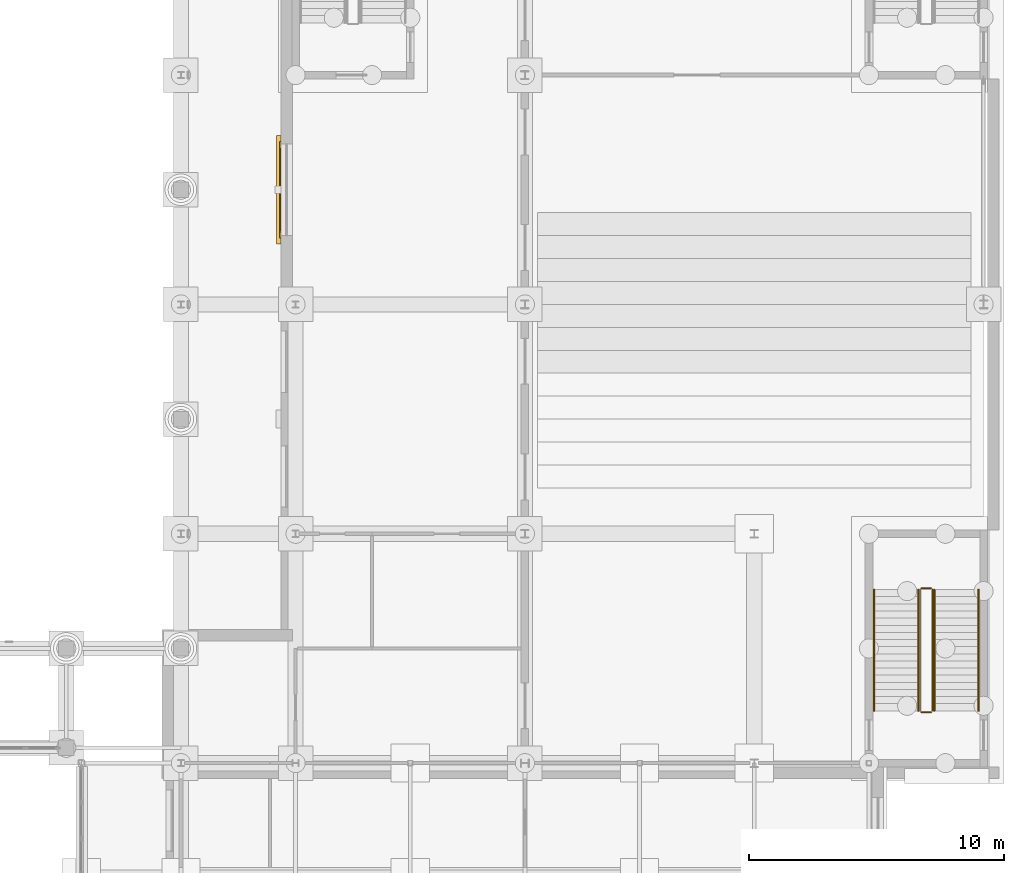
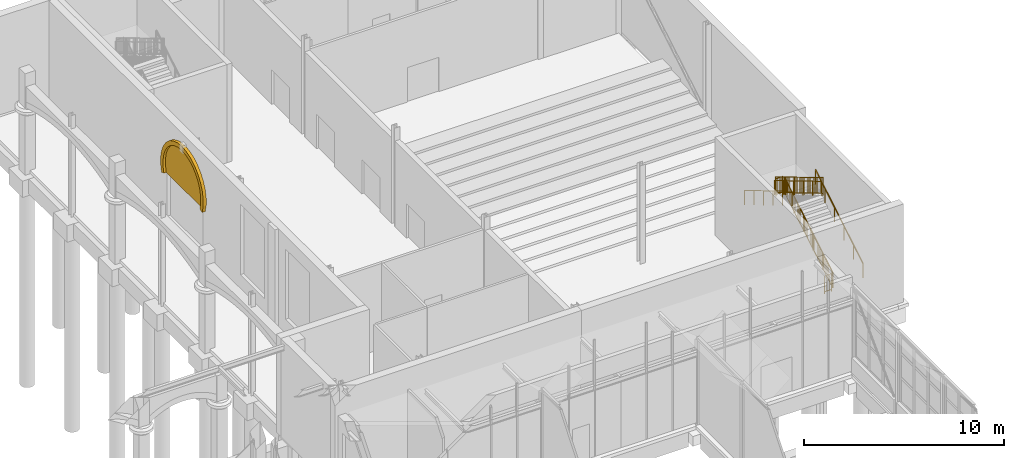
# One storey, part 97 of 106: 8 railings, 2 coverings.
"""IFC4 building model written with IfcOpenShell, lengths in metres."""

from ifc_helpers import new_model, si_unit, direction, frame, origin, origin_2d, place, context, subcontext, project, spatial, polyline, circle, outline, extrude, material, layer, layer_set, type_object, element, save


model = new_model("IFC4")

# Units and contexts
model_context = context("Model", 3, precision=1e-05, world=origin(), true_north=direction((0.0, 1.0)))
body_context = subcontext(model_context, "Body", "Model", "MODEL_VIEW")
ifc_project = project(units=[si_unit("LENGTHUNIT", "METRE"), si_unit("AREAUNIT", "SQUARE_METRE"), si_unit("VOLUMEUNIT", "CUBIC_METRE"), si_unit("PLANEANGLEUNIT", "RADIAN"), si_unit("MASSUNIT", "GRAM", prefix="KILO")], contexts=[model_context])

# Site, building, storey
site_placement = place(None, origin())
site = spatial("IfcSite", under=ifc_project, at=site_placement, CompositionType="ELEMENT")
building_placement = place(site_placement, origin())
building = spatial("IfcBuilding", under=site, at=building_placement, Name="Hortulan Conservatory and Botanical Research Centre", CompositionType="ELEMENT")
storey_placement = place(building_placement, origin())
storey = spatial("IfcBuildingStorey", under=building, at=storey_placement, Name="L00", CompositionType="ELEMENT", Elevation=0.0)

# Covering
ifc_material_1 = material(Name="Sandstone masonry (Hawkesbury yellow block)", Category="masonry")
ifc_layer_1 = layer(ifc_material_1, 0.179931640625)
ifc_layer_set_1 = layer_set([ifc_layer_1], Name="Sandstone Horseshoe Band 250")
covering_type_1 = type_object("IfcCoveringType", Name="Sandstone Horseshoe Band 250", PredefinedType="CLADDING", material=ifc_layer_set_1)
covering_1_placement = place(storey_placement, frame((80.33203125, 56.357421875, 2.622802734375), z_axis=(0.0, 0.0, 1.0), x_axis=(0.0, 1.0, 0.0)))
element("IfcCovering", 1, at=covering_1_placement, inside=storey, type_object=covering_type_1, Name="Horseshoe entrance head", PredefinedType="CLADDING", context=body_context, shape_type="SweptSolid", body=[
    extrude(outline(polyline([(0.342529296875, 0.0771484375), (0.260498046875, 0.464111328125), (0.260498046875, 0.85986328125), (0.342529296875, 1.246826171875), (0.503662109375, 1.6083984375), (0.736083984375, 1.928466796875), (1.0302734375, 2.193115234375), (1.372802734375, 2.39111328125), (1.7490234375, 2.51318359375), (2.142578125, 2.5546875), (2.5361328125, 2.51318359375), (2.912353515625, 2.39111328125), (3.255126953125, 2.193115234375), (3.549072265625, 1.928466796875), (3.78173828125, 1.6083984375), (3.942626953125, 1.246826171875), (4.02490234375, 0.85986328125), (4.02490234375, 0.464111328125), (3.942626953125, 0.0771484375), (4.180419921875, 0.0), (4.2734375, 0.43798828125), (4.2734375, 0.885986328125), (4.180419921875, 1.32421875), (3.998291015625, 1.7333984375), (3.73486328125, 2.095703125), (3.402099609375, 2.3955078125), (3.01416015625, 2.619384765625), (2.588134765625, 2.7578125), (2.142578125, 2.8046875), (1.697265625, 2.7578125), (1.27099609375, 2.619384765625), (0.88330078125, 2.3955078125), (0.55029296875, 2.095703125), (0.287109375, 1.7333984375), (0.10498046875, 1.32421875), (0.01171875, 0.885986328125), (0.01171875, 0.43798828125), (0.10498046875, 0.0), (0.342529296875, 0.0771484375)])), frame((0.0, 0.08984375, 0.0), z_axis=(0.0, -1.0, 0.0), x_axis=(1.0, 0.0, 0.0)), (0.0, 0.0, 1.0), 0.179931640625),
])

# Railings
ifc_material_2 = material(Name="Steel balustrade, bronze-charcoal paint", Category="steel")
railing_type_1 = type_object("IfcRailingType", Name="Stair Guard 1100", PredefinedType="GUARDRAIL", material=ifc_material_2)
railing_1_placement = place(storey_placement, frame((106.0, 38.050048828125, 0.166748046875)))
element("IfcRailing", 2, at=railing_1_placement, inside=storey, type_object=railing_type_1, Name="Guard A2 L00 stair 1", PredefinedType="GUARDRAIL", context=body_context, shape_type="SweptSolid", body=[
    extrude(circle(Radius=0.02392578125, at=origin_2d()), frame((0.0, 0.0, 1.076171875), z_axis=(0.0, 0.859299802514, 0.511472237174), x_axis=(-1.0, 0.0, 0.0)), (0.0, 0.0, 1.0), 5.539306640625),
    extrude(circle(Radius=0.02392578125, at=origin_2d()), frame((0.0, 0.0, 0.1240234375), z_axis=(0.0, 0.859299802514, 0.511472237174), x_axis=(-1.0, 0.0, 0.0)), (0.0, 0.0, 1.0), 5.539306640625),
    extrude(circle(Radius=0.008056640625, at=origin_2d()), frame((0.0, 0.09326171875, 0.203857421875)), (0.0, 0.0, 1.0), 0.90380859375),
    extrude(circle(Radius=0.008056640625, at=origin_2d()), frame((0.0, 0.186767578125, 0.25927734375)), (0.0, 0.0, 1.0), 0.90380859375),
    extrude(circle(Radius=0.008056640625, at=origin_2d()), frame((0.0, 0.280029296875, 0.31494140625)), (0.0, 0.0, 1.0), 0.90380859375),
    extrude(circle(Radius=0.008056640625, at=origin_2d()), frame((0.0, 0.373291015625, 0.370361328125)), (0.0, 0.0, 1.0), 0.90380859375),
    extrude(circle(Radius=0.008056640625, at=origin_2d()), frame((0.0, 0.466552734375, 0.426025390625)), (0.0, 0.0, 1.0), 0.90380859375),
    extrude(circle(Radius=0.008056640625, at=origin_2d()), frame((0.0, 0.56005859375, 0.4814453125)), (0.0, 0.0, 1.0), 0.90380859375),
    extrude(circle(Radius=0.008056640625, at=origin_2d()), frame((0.0, 0.6533203125, 0.537109375)), (0.0, 0.0, 1.0), 0.90380859375),
    extrude(circle(Radius=0.008056640625, at=origin_2d()), frame((0.0, 0.74658203125, 0.592529296875)), (0.0, 0.0, 1.0), 0.90380859375),
    extrude(circle(Radius=0.008056640625, at=origin_2d()), frame((0.0, 0.840087890625, 0.648193359375)), (0.0, 0.0, 1.0), 0.90380859375),
    extrude(circle(Radius=0.008056640625, at=origin_2d()), frame((0.0, 0.933349609375, 0.70361328125)), (0.0, 0.0, 1.0), 0.90380859375),
    extrude(circle(Radius=0.008056640625, at=origin_2d()), frame((0.0, 1.026611328125, 0.75927734375)), (0.0, 0.0, 1.0), 0.90380859375),
    extrude(circle(Radius=0.008056640625, at=origin_2d()), frame((0.0, 1.1201171875, 0.81494140625)), (0.0, 0.0, 1.0), 0.90380859375),
    extrude(circle(Radius=0.008056640625, at=origin_2d()), frame((0.0, 1.21337890625, 0.870361328125)), (0.0, 0.0, 1.0), 0.90380859375),
    extrude(circle(Radius=0.008056640625, at=origin_2d()), frame((0.0, 1.306640625, 0.926025390625)), (0.0, 0.0, 1.0), 0.90380859375),
    extrude(circle(Radius=0.008056640625, at=origin_2d()), frame((0.0, 1.39990234375, 0.9814453125)), (0.0, 0.0, 1.0), 0.90380859375),
    extrude(circle(Radius=0.008056640625, at=origin_2d()), frame((0.0, 1.493408203125, 1.037109375)), (0.0, 0.0, 1.0), 0.90380859375),
    extrude(circle(Radius=0.008056640625, at=origin_2d()), frame((0.0, 1.586669921875, 1.092529296875)), (0.0, 0.0, 1.0), 0.90380859375),
    extrude(circle(Radius=0.008056640625, at=origin_2d()), frame((0.0, 1.679931640625, 1.148193359375)), (0.0, 0.0, 1.0), 0.90380859375),
    extrude(circle(Radius=0.008056640625, at=origin_2d()), frame((0.0, 1.7734375, 1.20361328125)), (0.0, 0.0, 1.0), 0.90380859375),
    extrude(circle(Radius=0.008056640625, at=origin_2d()), frame((0.0, 1.86669921875, 1.25927734375)), (0.0, 0.0, 1.0), 0.90380859375),
    extrude(circle(Radius=0.008056640625, at=origin_2d()), frame((0.0, 1.9599609375, 1.31494140625)), (0.0, 0.0, 1.0), 0.90380859375),
    extrude(circle(Radius=0.008056640625, at=origin_2d()), frame((0.0, 2.05322265625, 1.370361328125)), (0.0, 0.0, 1.0), 0.90380859375),
    extrude(circle(Radius=0.008056640625, at=origin_2d()), frame((0.0, 2.146728515625, 1.426025390625)), (0.0, 0.0, 1.0), 0.90380859375),
    extrude(circle(Radius=0.008056640625, at=origin_2d()), frame((0.0, 2.239990234375, 1.4814453125)), (0.0, 0.0, 1.0), 0.90380859375),
    extrude(circle(Radius=0.008056640625, at=origin_2d()), frame((0.0, 2.333251953125, 1.537109375)), (0.0, 0.0, 1.0), 0.90380859375),
    extrude(circle(Radius=0.008056640625, at=origin_2d()), frame((0.0, 2.4267578125, 1.592529296875)), (0.0, 0.0, 1.0), 0.90380859375),
    extrude(circle(Radius=0.008056640625, at=origin_2d()), frame((0.0, 2.52001953125, 1.648193359375)), (0.0, 0.0, 1.0), 0.90380859375),
    extrude(circle(Radius=0.008056640625, at=origin_2d()), frame((0.0, 2.61328125, 1.70361328125)), (0.0, 0.0, 1.0), 0.90380859375),
    extrude(circle(Radius=0.008056640625, at=origin_2d()), frame((0.0, 2.706787109375, 1.75927734375)), (0.0, 0.0, 1.0), 0.90380859375),
    extrude(circle(Radius=0.008056640625, at=origin_2d()), frame((0.0, 2.800048828125, 1.814697265625)), (0.0, 0.0, 1.0), 0.90380859375),
    extrude(circle(Radius=0.008056640625, at=origin_2d()), frame((0.0, 2.893310546875, 1.870361328125)), (0.0, 0.0, 1.0), 0.90380859375),
    extrude(circle(Radius=0.008056640625, at=origin_2d()), frame((0.0, 2.986572265625, 1.926025390625)), (0.0, 0.0, 1.0), 0.90380859375),
    extrude(circle(Radius=0.008056640625, at=origin_2d()), frame((0.0, 3.080078125, 1.9814453125)), (0.0, 0.0, 1.0), 0.90380859375),
    extrude(circle(Radius=0.008056640625, at=origin_2d()), frame((0.0, 3.17333984375, 2.037109375)), (0.0, 0.0, 1.0), 0.90380859375),
    extrude(circle(Radius=0.008056640625, at=origin_2d()), frame((0.0, 3.2666015625, 2.092529296875)), (0.0, 0.0, 1.0), 0.90380859375),
    extrude(circle(Radius=0.008056640625, at=origin_2d()), frame((0.0, 3.360107421875, 2.148193359375)), (0.0, 0.0, 1.0), 0.90380859375),
    extrude(circle(Radius=0.008056640625, at=origin_2d()), frame((0.0, 3.453369140625, 2.20361328125)), (0.0, 0.0, 1.0), 0.90380859375),
    extrude(circle(Radius=0.008056640625, at=origin_2d()), frame((0.0, 3.546630859375, 2.25927734375)), (0.0, 0.0, 1.0), 0.90380859375),
    extrude(circle(Radius=0.008056640625, at=origin_2d()), frame((0.0, 3.639892578125, 2.314697265625)), (0.0, 0.0, 1.0), 0.90380859375),
    extrude(circle(Radius=0.008056640625, at=origin_2d()), frame((0.0, 3.7333984375, 2.370361328125)), (0.0, 0.0, 1.0), 0.90380859375),
    extrude(circle(Radius=0.008056640625, at=origin_2d()), frame((0.0, 3.82666015625, 2.426025390625)), (0.0, 0.0, 1.0), 0.90380859375),
    extrude(circle(Radius=0.008056640625, at=origin_2d()), frame((0.0, 3.919921875, 2.4814453125)), (0.0, 0.0, 1.0), 0.90380859375),
    extrude(circle(Radius=0.008056640625, at=origin_2d()), frame((0.0, 4.013427734375, 2.537109375)), (0.0, 0.0, 1.0), 0.90380859375),
    extrude(circle(Radius=0.008056640625, at=origin_2d()), frame((0.0, 4.106689453125, 2.592529296875)), (0.0, 0.0, 1.0), 0.90380859375),
    extrude(circle(Radius=0.008056640625, at=origin_2d()), frame((0.0, 4.199951171875, 2.648193359375)), (0.0, 0.0, 1.0), 0.90380859375),
    extrude(circle(Radius=0.008056640625, at=origin_2d()), frame((0.0, 4.29345703125, 2.70361328125)), (0.0, 0.0, 1.0), 0.90380859375),
    extrude(circle(Radius=0.008056640625, at=origin_2d()), frame((0.0, 4.38671875, 2.75927734375)), (0.0, 0.0, 1.0), 0.90380859375),
    extrude(circle(Radius=0.008056640625, at=origin_2d()), frame((0.0, 4.47998046875, 2.814697265625)), (0.0, 0.0, 1.0), 0.90380859375),
    extrude(circle(Radius=0.008056640625, at=origin_2d()), frame((0.0, 4.5732421875, 2.870361328125)), (0.0, 0.0, 1.0), 0.90380859375),
    extrude(circle(Radius=0.008056640625, at=origin_2d()), frame((0.0, 4.666748046875, 2.92578125)), (0.0, 0.0, 1.0), 0.90380859375),
    extrude(circle(Radius=0.02099609375, at=origin_2d()), origin(), (0.0, 0.0, 1.0), 1.052001953125),
    extrude(circle(Radius=0.02099609375, at=origin_2d()), frame((0.0, 0.951904296875, 0.566650390625)), (0.0, 0.0, 1.0), 1.052001953125),
    extrude(circle(Radius=0.02099609375, at=origin_2d()), frame((0.0, 1.904052734375, 1.13330078125)), (0.0, 0.0, 1.0), 1.052001953125),
    extrude(circle(Radius=0.02099609375, at=origin_2d()), frame((0.0, 2.85595703125, 1.699951171875)), (0.0, 0.0, 1.0), 1.052001953125),
    extrude(circle(Radius=0.02099609375, at=origin_2d()), frame((0.0, 3.80810546875, 2.2666015625)), (0.0, 0.0, 1.0), 1.052001953125),
    extrude(circle(Radius=0.02099609375, at=origin_2d()), frame((0.0, 4.760009765625, 2.833251953125)), (0.0, 0.0, 1.0), 1.052001953125),
])
railing_2_placement = place(storey_placement, frame((105.949951171875, 42.860107421875, 3.0)))
element("IfcRailing", 3, at=railing_2_placement, inside=storey, type_object=railing_type_1, Name="Guard A2 L00 stair 2", PredefinedType="GUARDRAIL", context=body_context, shape_type="SweptSolid", body=[
    extrude(circle(Radius=0.02392578125, at=origin_2d()), frame((0.0, 0.0, 1.076171875), z_axis=(-1.0, 0.0, 0.0), x_axis=(0.0, -1.0, 0.0)), (0.0, 0.0, 1.0), 0.39990234375),
    extrude(circle(Radius=0.02392578125, at=origin_2d()), frame((0.0, 0.0, 0.1240234375), z_axis=(-1.0, 0.0, 0.0), x_axis=(0.0, -1.0, 0.0)), (0.0, 0.0, 1.0), 0.39990234375),
    extrude(circle(Radius=0.008056640625, at=origin_2d()), frame((-0.10009765625, 0.0, 0.148193359375)), (0.0, 0.0, 1.0), 0.90380859375),
    extrude(circle(Radius=0.008056640625, at=origin_2d()), frame((-0.199951171875, 0.0, 0.148193359375)), (0.0, 0.0, 1.0), 0.90380859375),
    extrude(circle(Radius=0.008056640625, at=origin_2d()), frame((-0.2998046875, 0.0, 0.148193359375)), (0.0, 0.0, 1.0), 0.90380859375),
    extrude(circle(Radius=0.02099609375, at=origin_2d()), origin(), (0.0, 0.0, 1.0), 1.052001953125),
    extrude(circle(Radius=0.02099609375, at=origin_2d()), frame((-0.39990234375, 0.0, 0.0)), (0.0, 0.0, 1.0), 1.052001953125),
])
railing_3_placement = place(storey_placement, frame((105.5, 42.81005859375, 3.166748046875)))
element("IfcRailing", 4, at=railing_3_placement, inside=storey, type_object=railing_type_1, Name="Guard A2 L00 stair 3", PredefinedType="GUARDRAIL", context=body_context, shape_type="SweptSolid", body=[
    extrude(circle(Radius=0.02392578125, at=origin_2d()), frame((0.0, 0.0, 1.076171875), z_axis=(0.0, -0.859299802514, 0.511472237174), x_axis=(1.0, 0.0, 0.0)), (0.0, 0.0, 1.0), 5.539306640625),
    extrude(circle(Radius=0.02392578125, at=origin_2d()), frame((0.0, 0.0, 0.1240234375), z_axis=(0.0, -0.859299802514, 0.511472237174), x_axis=(1.0, 0.0, 0.0)), (0.0, 0.0, 1.0), 5.539306640625),
    extrude(circle(Radius=0.008056640625, at=origin_2d()), frame((0.0, -0.09326171875, 0.203857421875)), (0.0, 0.0, 1.0), 0.90380859375),
    extrude(circle(Radius=0.008056640625, at=origin_2d()), frame((0.0, -0.186767578125, 0.25927734375)), (0.0, 0.0, 1.0), 0.90380859375),
    extrude(circle(Radius=0.008056640625, at=origin_2d()), frame((0.0, -0.280029296875, 0.31494140625)), (0.0, 0.0, 1.0), 0.90380859375),
    extrude(circle(Radius=0.008056640625, at=origin_2d()), frame((0.0, -0.373291015625, 0.370361328125)), (0.0, 0.0, 1.0), 0.90380859375),
    extrude(circle(Radius=0.008056640625, at=origin_2d()), frame((0.0, -0.466552734375, 0.426025390625)), (0.0, 0.0, 1.0), 0.90380859375),
    extrude(circle(Radius=0.008056640625, at=origin_2d()), frame((0.0, -0.56005859375, 0.4814453125)), (0.0, 0.0, 1.0), 0.90380859375),
    extrude(circle(Radius=0.008056640625, at=origin_2d()), frame((0.0, -0.6533203125, 0.537109375)), (0.0, 0.0, 1.0), 0.90380859375),
    extrude(circle(Radius=0.008056640625, at=origin_2d()), frame((0.0, -0.74658203125, 0.592529296875)), (0.0, 0.0, 1.0), 0.90380859375),
    extrude(circle(Radius=0.008056640625, at=origin_2d()), frame((0.0, -0.840087890625, 0.648193359375)), (0.0, 0.0, 1.0), 0.90380859375),
    extrude(circle(Radius=0.008056640625, at=origin_2d()), frame((0.0, -0.933349609375, 0.70361328125)), (0.0, 0.0, 1.0), 0.90380859375),
    extrude(circle(Radius=0.008056640625, at=origin_2d()), frame((0.0, -1.026611328125, 0.75927734375)), (0.0, 0.0, 1.0), 0.90380859375),
    extrude(circle(Radius=0.008056640625, at=origin_2d()), frame((0.0, -1.1201171875, 0.81494140625)), (0.0, 0.0, 1.0), 0.90380859375),
    extrude(circle(Radius=0.008056640625, at=origin_2d()), frame((0.0, -1.21337890625, 0.870361328125)), (0.0, 0.0, 1.0), 0.90380859375),
    extrude(circle(Radius=0.008056640625, at=origin_2d()), frame((0.0, -1.306640625, 0.926025390625)), (0.0, 0.0, 1.0), 0.90380859375),
    extrude(circle(Radius=0.008056640625, at=origin_2d()), frame((0.0, -1.39990234375, 0.9814453125)), (0.0, 0.0, 1.0), 0.90380859375),
    extrude(circle(Radius=0.008056640625, at=origin_2d()), frame((0.0, -1.493408203125, 1.037109375)), (0.0, 0.0, 1.0), 0.90380859375),
    extrude(circle(Radius=0.008056640625, at=origin_2d()), frame((0.0, -1.586669921875, 1.092529296875)), (0.0, 0.0, 1.0), 0.90380859375),
    extrude(circle(Radius=0.008056640625, at=origin_2d()), frame((0.0, -1.679931640625, 1.148193359375)), (0.0, 0.0, 1.0), 0.90380859375),
    extrude(circle(Radius=0.008056640625, at=origin_2d()), frame((0.0, -1.7734375, 1.20361328125)), (0.0, 0.0, 1.0), 0.90380859375),
    extrude(circle(Radius=0.008056640625, at=origin_2d()), frame((0.0, -1.86669921875, 1.25927734375)), (0.0, 0.0, 1.0), 0.90380859375),
    extrude(circle(Radius=0.008056640625, at=origin_2d()), frame((0.0, -1.9599609375, 1.31494140625)), (0.0, 0.0, 1.0), 0.90380859375),
    extrude(circle(Radius=0.008056640625, at=origin_2d()), frame((0.0, -2.05322265625, 1.370361328125)), (0.0, 0.0, 1.0), 0.90380859375),
    extrude(circle(Radius=0.008056640625, at=origin_2d()), frame((0.0, -2.146728515625, 1.426025390625)), (0.0, 0.0, 1.0), 0.90380859375),
    extrude(circle(Radius=0.008056640625, at=origin_2d()), frame((0.0, -2.239990234375, 1.4814453125)), (0.0, 0.0, 1.0), 0.90380859375),
    extrude(circle(Radius=0.008056640625, at=origin_2d()), frame((0.0, -2.333251953125, 1.537109375)), (0.0, 0.0, 1.0), 0.90380859375),
    extrude(circle(Radius=0.008056640625, at=origin_2d()), frame((0.0, -2.4267578125, 1.592529296875)), (0.0, 0.0, 1.0), 0.90380859375),
    extrude(circle(Radius=0.008056640625, at=origin_2d()), frame((0.0, -2.52001953125, 1.648193359375)), (0.0, 0.0, 1.0), 0.90380859375),
    extrude(circle(Radius=0.008056640625, at=origin_2d()), frame((0.0, -2.61328125, 1.70361328125)), (0.0, 0.0, 1.0), 0.90380859375),
    extrude(circle(Radius=0.008056640625, at=origin_2d()), frame((0.0, -2.706787109375, 1.75927734375)), (0.0, 0.0, 1.0), 0.90380859375),
    extrude(circle(Radius=0.008056640625, at=origin_2d()), frame((0.0, -2.800048828125, 1.814697265625)), (0.0, 0.0, 1.0), 0.90380859375),
    extrude(circle(Radius=0.008056640625, at=origin_2d()), frame((0.0, -2.893310546875, 1.870361328125)), (0.0, 0.0, 1.0), 0.90380859375),
    extrude(circle(Radius=0.008056640625, at=origin_2d()), frame((0.0, -2.986572265625, 1.926025390625)), (0.0, 0.0, 1.0), 0.90380859375),
    extrude(circle(Radius=0.008056640625, at=origin_2d()), frame((0.0, -3.080078125, 1.9814453125)), (0.0, 0.0, 1.0), 0.90380859375),
    extrude(circle(Radius=0.008056640625, at=origin_2d()), frame((0.0, -3.17333984375, 2.037109375)), (0.0, 0.0, 1.0), 0.90380859375),
    extrude(circle(Radius=0.008056640625, at=origin_2d()), frame((0.0, -3.2666015625, 2.092529296875)), (0.0, 0.0, 1.0), 0.90380859375),
    extrude(circle(Radius=0.008056640625, at=origin_2d()), frame((0.0, -3.360107421875, 2.148193359375)), (0.0, 0.0, 1.0), 0.90380859375),
    extrude(circle(Radius=0.008056640625, at=origin_2d()), frame((0.0, -3.453369140625, 2.20361328125)), (0.0, 0.0, 1.0), 0.90380859375),
    extrude(circle(Radius=0.008056640625, at=origin_2d()), frame((0.0, -3.546630859375, 2.25927734375)), (0.0, 0.0, 1.0), 0.90380859375),
    extrude(circle(Radius=0.008056640625, at=origin_2d()), frame((0.0, -3.639892578125, 2.314697265625)), (0.0, 0.0, 1.0), 0.90380859375),
    extrude(circle(Radius=0.008056640625, at=origin_2d()), frame((0.0, -3.7333984375, 2.370361328125)), (0.0, 0.0, 1.0), 0.90380859375),
    extrude(circle(Radius=0.008056640625, at=origin_2d()), frame((0.0, -3.82666015625, 2.426025390625)), (0.0, 0.0, 1.0), 0.90380859375),
    extrude(circle(Radius=0.008056640625, at=origin_2d()), frame((0.0, -3.919921875, 2.4814453125)), (0.0, 0.0, 1.0), 0.90380859375),
    extrude(circle(Radius=0.008056640625, at=origin_2d()), frame((0.0, -4.013427734375, 2.537109375)), (0.0, 0.0, 1.0), 0.90380859375),
    extrude(circle(Radius=0.008056640625, at=origin_2d()), frame((0.0, -4.106689453125, 2.592529296875)), (0.0, 0.0, 1.0), 0.90380859375),
    extrude(circle(Radius=0.008056640625, at=origin_2d()), frame((0.0, -4.199951171875, 2.648193359375)), (0.0, 0.0, 1.0), 0.90380859375),
    extrude(circle(Radius=0.008056640625, at=origin_2d()), frame((0.0, -4.29345703125, 2.70361328125)), (0.0, 0.0, 1.0), 0.90380859375),
    extrude(circle(Radius=0.008056640625, at=origin_2d()), frame((0.0, -4.38671875, 2.75927734375)), (0.0, 0.0, 1.0), 0.90380859375),
    extrude(circle(Radius=0.008056640625, at=origin_2d()), frame((0.0, -4.47998046875, 2.814697265625)), (0.0, 0.0, 1.0), 0.90380859375),
    extrude(circle(Radius=0.008056640625, at=origin_2d()), frame((0.0, -4.5732421875, 2.870361328125)), (0.0, 0.0, 1.0), 0.90380859375),
    extrude(circle(Radius=0.008056640625, at=origin_2d()), frame((0.0, -4.666748046875, 2.92578125)), (0.0, 0.0, 1.0), 0.90380859375),
    extrude(circle(Radius=0.02099609375, at=origin_2d()), origin(), (0.0, 0.0, 1.0), 1.052001953125),
    extrude(circle(Radius=0.02099609375, at=origin_2d()), frame((0.0, -0.951904296875, 0.566650390625)), (0.0, 0.0, 1.0), 1.052001953125),
    extrude(circle(Radius=0.02099609375, at=origin_2d()), frame((0.0, -1.904052734375, 1.13330078125)), (0.0, 0.0, 1.0), 1.052001953125),
    extrude(circle(Radius=0.02099609375, at=origin_2d()), frame((0.0, -2.85595703125, 1.699951171875)), (0.0, 0.0, 1.0), 1.052001953125),
    extrude(circle(Radius=0.02099609375, at=origin_2d()), frame((0.0, -3.80810546875, 2.2666015625)), (0.0, 0.0, 1.0), 1.052001953125),
    extrude(circle(Radius=0.02099609375, at=origin_2d()), frame((0.0, -4.760009765625, 2.833251953125)), (0.0, 0.0, 1.0), 1.052001953125),
])
railing_4_placement = place(storey_placement, frame((105.949951171875, 38.0, 0.0)))
element("IfcRailing", 5, at=railing_4_placement, inside=storey, type_object=railing_type_1, Name="Guard A2 L00 stair 4", PredefinedType="GUARDRAIL", context=body_context, shape_type="SweptSolid", body=[
    extrude(circle(Radius=0.02392578125, at=origin_2d()), frame((0.0, 0.0, 1.076171875), z_axis=(-1.0, 0.0, 0.0), x_axis=(0.0, -1.0, 0.0)), (0.0, 0.0, 1.0), 0.39990234375),
    extrude(circle(Radius=0.02392578125, at=origin_2d()), frame((0.0, 0.0, 0.1240234375), z_axis=(-1.0, 0.0, 0.0), x_axis=(0.0, -1.0, 0.0)), (0.0, 0.0, 1.0), 0.39990234375),
    extrude(circle(Radius=0.008056640625, at=origin_2d()), frame((-0.10009765625, 0.0, 0.148193359375)), (0.0, 0.0, 1.0), 0.90380859375),
    extrude(circle(Radius=0.008056640625, at=origin_2d()), frame((-0.199951171875, 0.0, 0.148193359375)), (0.0, 0.0, 1.0), 0.90380859375),
    extrude(circle(Radius=0.008056640625, at=origin_2d()), frame((-0.2998046875, 0.0, 0.148193359375)), (0.0, 0.0, 1.0), 0.90380859375),
    extrude(circle(Radius=0.02099609375, at=origin_2d()), origin(), (0.0, 0.0, 1.0), 1.052001953125),
    extrude(circle(Radius=0.02099609375, at=origin_2d()), frame((-0.39990234375, 0.0, 0.0)), (0.0, 0.0, 1.0), 1.052001953125),
])
ifc_material_3 = material(Name="Bronze handrail, polished", Category="metal")
railing_type_2 = type_object("IfcRailingType", Name="Stair Handrail 900", PredefinedType="HANDRAIL", material=ifc_material_3)
railing_5_placement = place(storey_placement, frame((107.800048828125, 38.050048828125, 0.166748046875)))
element("IfcRailing", 6, at=railing_5_placement, inside=storey, type_object=railing_type_2, Name="Handrail A2 L00 stair 1", PredefinedType="HANDRAIL", context=body_context, shape_type="SweptSolid", body=[
    extrude(circle(Radius=0.02392578125, at=origin_2d()), frame((0.0, 0.0, 0.8759765625), z_axis=(0.0, 0.859299802514, 0.511472237174), x_axis=(-1.0, 0.0, 0.0)), (0.0, 0.0, 1.0), 5.539306640625),
    extrude(circle(Radius=0.02099609375, at=origin_2d()), origin(), (0.0, 0.0, 1.0), 0.851806640625),
    extrude(circle(Radius=0.02099609375, at=origin_2d()), frame((0.0, 0.951904296875, 0.566650390625)), (0.0, 0.0, 1.0), 0.851806640625),
    extrude(circle(Radius=0.02099609375, at=origin_2d()), frame((0.0, 1.904052734375, 1.13330078125)), (0.0, 0.0, 1.0), 0.851806640625),
    extrude(circle(Radius=0.02099609375, at=origin_2d()), frame((0.0, 2.85595703125, 1.699951171875)), (0.0, 0.0, 1.0), 0.851806640625),
    extrude(circle(Radius=0.02099609375, at=origin_2d()), frame((0.0, 3.80810546875, 2.2666015625)), (0.0, 0.0, 1.0), 0.851806640625),
    extrude(circle(Radius=0.02099609375, at=origin_2d()), frame((0.0, 4.760009765625, 2.833251953125)), (0.0, 0.0, 1.0), 0.851806640625),
])
railing_6_placement = place(storey_placement, frame((103.699951171875, 42.81005859375, 3.166748046875)))
element("IfcRailing", 7, at=railing_6_placement, inside=storey, type_object=railing_type_2, Name="Handrail A2 L00 stair 2", PredefinedType="HANDRAIL", context=body_context, shape_type="SweptSolid", body=[
    extrude(circle(Radius=0.02392578125, at=origin_2d()), frame((0.0, 0.0, 0.8759765625), z_axis=(0.0, -0.859299802514, 0.511472237174), x_axis=(1.0, 0.0, 0.0)), (0.0, 0.0, 1.0), 5.539306640625),
    extrude(circle(Radius=0.02099609375, at=origin_2d()), origin(), (0.0, 0.0, 1.0), 0.851806640625),
    extrude(circle(Radius=0.02099609375, at=origin_2d()), frame((0.0, -0.951904296875, 0.566650390625)), (0.0, 0.0, 1.0), 0.851806640625),
    extrude(circle(Radius=0.02099609375, at=origin_2d()), frame((0.0, -1.904052734375, 1.13330078125)), (0.0, 0.0, 1.0), 0.851806640625),
    extrude(circle(Radius=0.02099609375, at=origin_2d()), frame((0.0, -2.85595703125, 1.699951171875)), (0.0, 0.0, 1.0), 0.851806640625),
    extrude(circle(Radius=0.02099609375, at=origin_2d()), frame((0.0, -3.80810546875, 2.2666015625)), (0.0, 0.0, 1.0), 0.851806640625),
    extrude(circle(Radius=0.02099609375, at=origin_2d()), frame((0.0, -4.760009765625, 2.833251953125)), (0.0, 0.0, 1.0), 0.851806640625),
])
railing_7_placement = place(storey_placement, frame((106.070068359375, 38.050048828125, 0.166748046875)))
element("IfcRailing", 8, at=railing_7_placement, inside=storey, type_object=railing_type_2, Name="Handrail A2 L00 stair 3", PredefinedType="HANDRAIL", context=body_context, shape_type="SweptSolid", body=[
    extrude(circle(Radius=0.02392578125, at=origin_2d()), frame((0.0, 0.0, 0.8759765625), z_axis=(0.0, 0.859299802514, 0.511472237174), x_axis=(-1.0, 0.0, 0.0)), (0.0, 0.0, 1.0), 5.539306640625),
    extrude(circle(Radius=0.02099609375, at=origin_2d()), origin(), (0.0, 0.0, 1.0), 0.851806640625),
    extrude(circle(Radius=0.02099609375, at=origin_2d()), frame((0.0, 0.951904296875, 0.566650390625)), (0.0, 0.0, 1.0), 0.851806640625),
    extrude(circle(Radius=0.02099609375, at=origin_2d()), frame((0.0, 1.904052734375, 1.13330078125)), (0.0, 0.0, 1.0), 0.851806640625),
    extrude(circle(Radius=0.02099609375, at=origin_2d()), frame((0.0, 2.85595703125, 1.699951171875)), (0.0, 0.0, 1.0), 0.851806640625),
    extrude(circle(Radius=0.02099609375, at=origin_2d()), frame((0.0, 3.80810546875, 2.2666015625)), (0.0, 0.0, 1.0), 0.851806640625),
    extrude(circle(Radius=0.02099609375, at=origin_2d()), frame((0.0, 4.760009765625, 2.833251953125)), (0.0, 0.0, 1.0), 0.851806640625),
])
railing_8_placement = place(storey_placement, frame((105.429931640625, 42.81005859375, 3.166748046875)))
element("IfcRailing", 9, at=railing_8_placement, inside=storey, type_object=railing_type_2, Name="Handrail A2 L00 stair 4", PredefinedType="HANDRAIL", context=body_context, shape_type="SweptSolid", body=[
    extrude(circle(Radius=0.02392578125, at=origin_2d()), frame((0.0, 0.0, 0.8759765625), z_axis=(0.0, -0.859299802514, 0.511472237174), x_axis=(1.0, 0.0, 0.0)), (0.0, 0.0, 1.0), 5.539306640625),
    extrude(circle(Radius=0.02099609375, at=origin_2d()), origin(), (0.0, 0.0, 1.0), 0.851806640625),
    extrude(circle(Radius=0.02099609375, at=origin_2d()), frame((0.0, -0.951904296875, 0.566650390625)), (0.0, 0.0, 1.0), 0.851806640625),
    extrude(circle(Radius=0.02099609375, at=origin_2d()), frame((0.0, -1.904052734375, 1.13330078125)), (0.0, 0.0, 1.0), 0.851806640625),
    extrude(circle(Radius=0.02099609375, at=origin_2d()), frame((0.0, -2.85595703125, 1.699951171875)), (0.0, 0.0, 1.0), 0.851806640625),
    extrude(circle(Radius=0.02099609375, at=origin_2d()), frame((0.0, -3.80810546875, 2.2666015625)), (0.0, 0.0, 1.0), 0.851806640625),
    extrude(circle(Radius=0.02099609375, at=origin_2d()), frame((0.0, -4.760009765625, 2.833251953125)), (0.0, 0.0, 1.0), 0.851806640625),
])

# Covering
ifc_material_4 = material(Name="Faience cladding, harbour teal glaze (non-combustible)", Category="ceramic")
ifc_layer_2 = layer(ifc_material_4, 0.0400390625)
ifc_layer_set_2 = layer_set([ifc_layer_2], Name="Teal Faience Tympanum 40")
covering_type_2 = type_object("IfcCoveringType", Name="Teal Faience Tympanum 40", PredefinedType="CLADDING", material=ifc_layer_set_2)
covering_2_placement = place(storey_placement, frame((80.402099609375, 56.357421875, 2.699951171875), z_axis=(0.0, 0.0, 1.0), x_axis=(0.0, 1.0, 0.0)))
element("IfcCovering", 10, at=covering_2_placement, inside=storey, type_object=covering_type_2, Name="Faience tympanum", PredefinedType="CLADDING", context=body_context, shape_type="SweptSolid", body=[
    extrude(outline(polyline([(0.342529296875, 0.0), (0.260498046875, 0.386962890625), (0.260498046875, 0.78271484375), (0.342529296875, 1.169677734375), (0.503662109375, 1.53125), (0.736083984375, 1.851318359375), (1.0302734375, 2.115966796875), (1.372802734375, 2.31396484375), (1.7490234375, 2.43603515625), (2.142578125, 2.4775390625), (2.5361328125, 2.43603515625), (2.912353515625, 2.31396484375), (3.255126953125, 2.115966796875), (3.549072265625, 1.851318359375), (3.78173828125, 1.53125), (3.942626953125, 1.169677734375), (4.02490234375, 0.78271484375), (4.02490234375, 0.386962890625), (3.942626953125, 0.0), (3.942626953125, 0.0), (0.342529296875, 0.0), (0.342529296875, 0.0)])), frame((0.0, 0.02001953125, 0.0), z_axis=(0.0, -1.0, 0.0), x_axis=(1.0, 0.0, 0.0)), (0.0, 0.0, 1.0), 0.0400390625),
])

save(model, "model.ifc")
